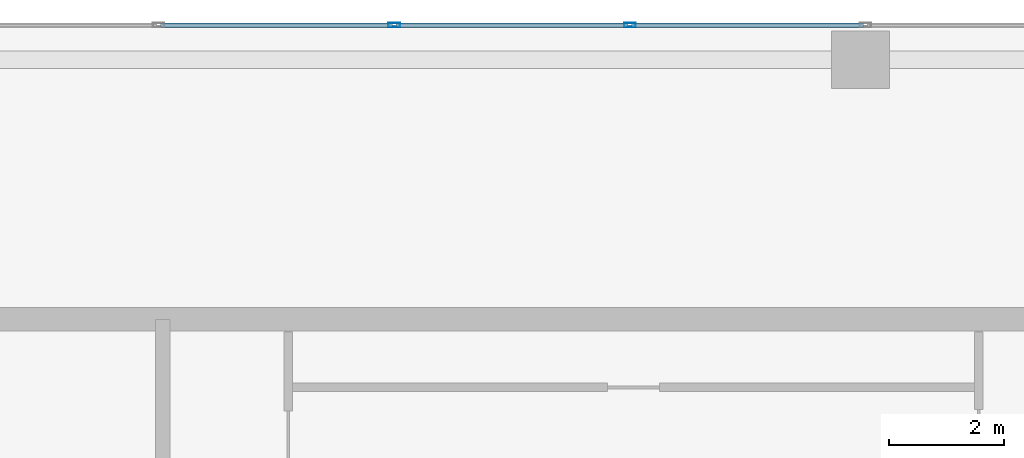
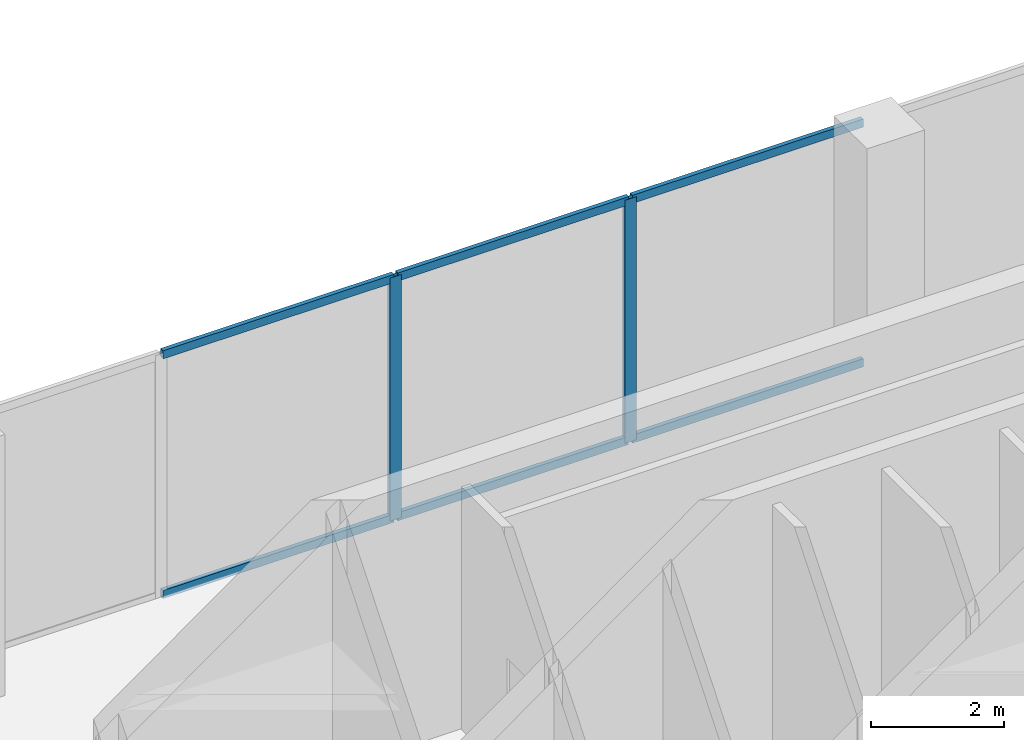
# One storey, part 15 of 24: 8 members, 1 element without a shape of its own.
"""IFC4 building model written with IfcOpenShell, lengths in metres."""

from ifc_helpers import new_model, si_unit, direction, frame, origin, origin_2d, place, context, subcontext, project, spatial, hollow_rectangle, extrude, material, layer, layer_set, material_profile, profile_set, type_object, element, aggregate, save


model = new_model("IFC4")

# Units and contexts
model_context = context("Model", 3, precision=1e-05, world=origin(), true_north=direction((0.0, 1.0)))
body_context = subcontext(model_context, "Body", "Model", "MODEL_VIEW")
ifc_project = project(units=[si_unit("LENGTHUNIT", "METRE"), si_unit("AREAUNIT", "SQUARE_METRE"), si_unit("VOLUMEUNIT", "CUBIC_METRE"), si_unit("PLANEANGLEUNIT", "RADIAN"), si_unit("MASSUNIT", "GRAM", prefix="KILO")], contexts=[model_context])

# Site, building, storey
site_placement = place(None, origin())
site = spatial("IfcSite", under=ifc_project, at=site_placement, CompositionType="ELEMENT")
building_placement = place(site_placement, origin())
building = spatial("IfcBuilding", under=site, at=building_placement, Name="Catumbela Crestline Tower", CompositionType="ELEMENT")
storey_placement = place(building_placement, frame((0.0, 0.0, 11.1)))
storey = spatial("IfcBuildingStorey", under=building, at=storey_placement, Name="L02", CompositionType="ELEMENT", Elevation=11.1)

# Curtain wall, members
ifc_material = material(Name="Aluminium alloy AW-6060-T66", Category="aluminium")
ifc_layer = layer(ifc_material, 0.18, Name="Aluminium alloy AW-6060-T66")
ifc_layer_set = layer_set([ifc_layer], Name="Aluminium alloy AW-6060-T66")
curtain_wall_type = type_object("IfcCurtainWallType", Name="CWS-POD", PredefinedType="USERDEFINED", material=ifc_layer_set)
curtain_wall_placement = place(storey_placement, origin())
curtain_wall = element("IfcCurtainWall", 1, at=curtain_wall_placement, inside=storey, type_object=curtain_wall_type, Name="L02 Stick Curtain Wall CW-L02-E7S1", ObjectType="STICK", PredefinedType="USERDEFINED")
ifc_material_profile_1 = material_profile(ifc_material, hollow_rectangle(XDim=0.075, YDim=0.2, WallThickness=0.005, at=origin_2d()), Name="ALU 200x75x5")
ifc_profile_set_1 = profile_set([ifc_material_profile_1], Name="Aluminium alloy AW-6060-T66")
member_type_1 = type_object("IfcMemberType", Name="MUL-200X75", PredefinedType="MULLION", material=ifc_profile_set_1)
member_1_placement = place(storey_placement, frame((28.0, 48.0, 0.0), z_axis=(0.0, 0.0, 1.0), x_axis=(0.0, -1.0, 0.0)))
member_1 = element("IfcMember", 2, at=member_1_placement, type_object=member_type_1, Name="CWS-POD mullion 7", PredefinedType="MULLION", context=body_context, shape_type="SweptSolid", body=[
    extrude(hollow_rectangle(XDim=0.075, YDim=0.2, WallThickness=0.005, at=origin_2d()), origin(), (0.0, 0.0, 1.0), 4.47),
])
member_2_placement = place(storey_placement, frame((23.9167, 48.0, 0.0), z_axis=(0.0, 0.0, 1.0), x_axis=(0.0, -1.0, 0.0)))
member_2 = element("IfcMember", 3, at=member_2_placement, type_object=member_type_1, Name="CWS-POD mullion 8", PredefinedType="MULLION", context=body_context, shape_type="SweptSolid", body=[
    extrude(hollow_rectangle(XDim=0.075, YDim=0.2, WallThickness=0.005, at=origin_2d()), origin(), (0.0, 0.0, 1.0), 4.47),
])
ifc_material_profile_2 = material_profile(ifc_material, hollow_rectangle(XDim=0.075, YDim=0.15, WallThickness=0.0045, at=origin_2d()), Name="ALU 150x75x4.5")
ifc_profile_set_2 = profile_set([ifc_material_profile_2], Name="Aluminium alloy AW-6060-T66")
member_type_2 = type_object("IfcMemberType", Name="TRN-150X75", PredefinedType="USERDEFINED", material=ifc_profile_set_2)
member_3_placement = place(storey_placement, frame((32.0508, 48.0, 0.03), z_axis=(-1.0, 0.0, 0.0), x_axis=(0.0, -1.0, 0.0)))
member_3 = element("IfcMember", 4, at=member_3_placement, type_object=member_type_2, Name="CWS-POD transom 6.1", ObjectType="TRANSOM", PredefinedType="USERDEFINED", context=body_context, shape_type="SweptSolid", body=[
    extrude(hollow_rectangle(XDim=0.075, YDim=0.15, WallThickness=0.0045, at=origin_2d()), origin(), (0.0, 0.0, 1.0), 4.0183),
])
member_4_placement = place(storey_placement, frame((32.0508, 48.0, 4.44), z_axis=(-1.0, 0.0, 0.0), x_axis=(0.0, -1.0, 0.0)))
member_4 = element("IfcMember", 5, at=member_4_placement, type_object=member_type_2, Name="CWS-POD transom 6.2", ObjectType="TRANSOM", PredefinedType="USERDEFINED", context=body_context, shape_type="SweptSolid", body=[
    extrude(hollow_rectangle(XDim=0.075, YDim=0.15, WallThickness=0.0045, at=origin_2d()), origin(), (0.0, 0.0, 1.0), 4.0183),
])
member_5_placement = place(storey_placement, frame((27.9675, 48.0, 0.03), z_axis=(-1.0, 0.0, 0.0), x_axis=(0.0, -1.0, 0.0)))
member_5 = element("IfcMember", 6, at=member_5_placement, type_object=member_type_2, Name="CWS-POD transom 7.1", ObjectType="TRANSOM", PredefinedType="USERDEFINED", context=body_context, shape_type="SweptSolid", body=[
    extrude(hollow_rectangle(XDim=0.075, YDim=0.15, WallThickness=0.0045, at=origin_2d()), origin(), (0.0, 0.0, 1.0), 4.0183),
])
member_6_placement = place(storey_placement, frame((27.9675, 48.0, 4.44), z_axis=(-1.0, 0.0, 0.0), x_axis=(0.0, -1.0, 0.0)))
member_6 = element("IfcMember", 7, at=member_6_placement, type_object=member_type_2, Name="CWS-POD transom 7.2", ObjectType="TRANSOM", PredefinedType="USERDEFINED", context=body_context, shape_type="SweptSolid", body=[
    extrude(hollow_rectangle(XDim=0.075, YDim=0.15, WallThickness=0.0045, at=origin_2d()), origin(), (0.0, 0.0, 1.0), 4.0183),
])
member_7_placement = place(storey_placement, frame((23.8842, 48.0, 0.03), z_axis=(-1.0, 0.0, 0.0), x_axis=(0.0, -1.0, 0.0)))
member_7 = element("IfcMember", 8, at=member_7_placement, type_object=member_type_2, Name="CWS-POD transom 8.1", ObjectType="TRANSOM", PredefinedType="USERDEFINED", context=body_context, shape_type="SweptSolid", body=[
    extrude(hollow_rectangle(XDim=0.075, YDim=0.15, WallThickness=0.0045, at=origin_2d()), origin(), (0.0, 0.0, 1.0), 4.0184),
])
member_8_placement = place(storey_placement, frame((23.8842, 48.0, 4.44), z_axis=(-1.0, 0.0, 0.0), x_axis=(0.0, -1.0, 0.0)))
member_8 = element("IfcMember", 9, at=member_8_placement, type_object=member_type_2, Name="CWS-POD transom 8.2", ObjectType="TRANSOM", PredefinedType="USERDEFINED", context=body_context, shape_type="SweptSolid", body=[
    extrude(hollow_rectangle(XDim=0.075, YDim=0.15, WallThickness=0.0045, at=origin_2d()), origin(), (0.0, 0.0, 1.0), 4.0184),
])
aggregate(curtain_wall, [member_1, member_2, member_3, member_4, member_5, member_6, member_7, member_8])

save(model, "model.ifc")
